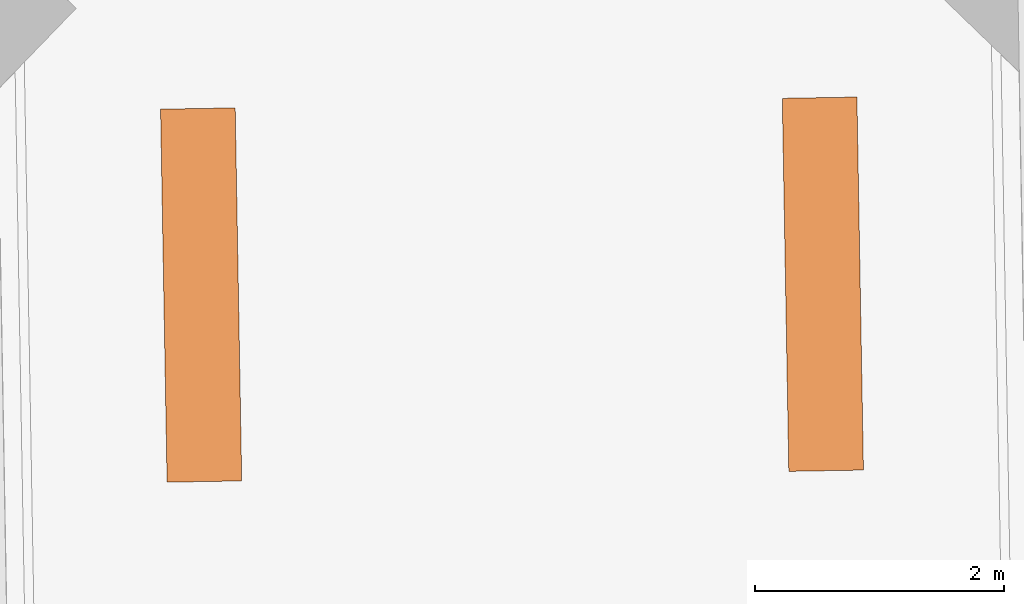
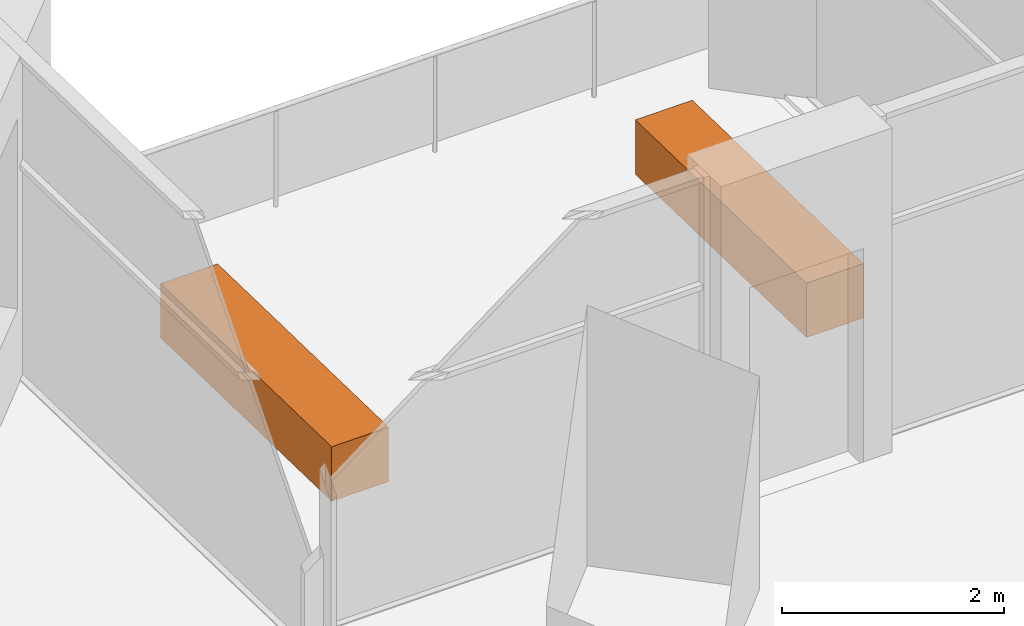
# One storey, part 13 of 13: 2 proxies.
"""IFC4 building model written with IfcOpenShell, lengths in metres."""

from ifc_helpers import new_model, si_unit, direction, frame, origin, origin_2d, place, context, subcontext, project, spatial, rectangle, extrude, element, save


model = new_model("IFC4")

# Units and contexts
model_context = context("Model", 3, precision=1e-05, world=origin(), true_north=direction((0.0, 1.0)))
body_context = subcontext(model_context, "Body", "Model", "MODEL_VIEW")
ifc_project = project(units=[si_unit("LENGTHUNIT", "METRE"), si_unit("AREAUNIT", "SQUARE_METRE"), si_unit("VOLUMEUNIT", "CUBIC_METRE"), si_unit("PLANEANGLEUNIT", "RADIAN"), si_unit("MASSUNIT", "GRAM", prefix="KILO")], contexts=[model_context])

# Site, building, storey
site_placement = place(None, origin())
site = spatial("IfcSite", under=ifc_project, at=site_placement, CompositionType="ELEMENT")
building_placement = place(site_placement, origin())
building = spatial("IfcBuilding", under=site, at=building_placement, Name="Dilmun Exchange Tower", CompositionType="ELEMENT")
storey_placement = place(building_placement, frame((0.0, 0.0, 205.300048828125)))
storey = spatial("IfcBuildingStorey", under=building, at=storey_placement, Name="L48", CompositionType="ELEMENT", Elevation=205.300048828125)

# Proxies
for number, where, z_axis, x_axis, name in (
    (1, (5.4716796875, 32.355712890625, 0.0), (0.0, 0.0, 1.0), (-0.017452406437, 0.999847695156, 0.0), "PLANTER Ghaf tree L48.1"),
    (2, (0.472412109375, 32.2685546875, 0.0), (0.0, 0.0, 1.0), (-0.017452406437, 0.999847695156, 0.0), "PLANTER Ghaf tree L48.2"),
):
    element("IfcBuildingElementProxy", number, at=place(storey_placement, frame(where, z_axis=z_axis, x_axis=x_axis)), inside=storey, Name=name, ObjectType="PLANTER", PredefinedType="USERDEFINED", context=body_context, shape_type="SweptSolid", body=[
        extrude(rectangle(XDim=3.0, YDim=0.60009765625, at=origin_2d()), origin(), (0.0, 0.0, 1.0), 0.60009765625),
    ])

save(model, "model.ifc")
